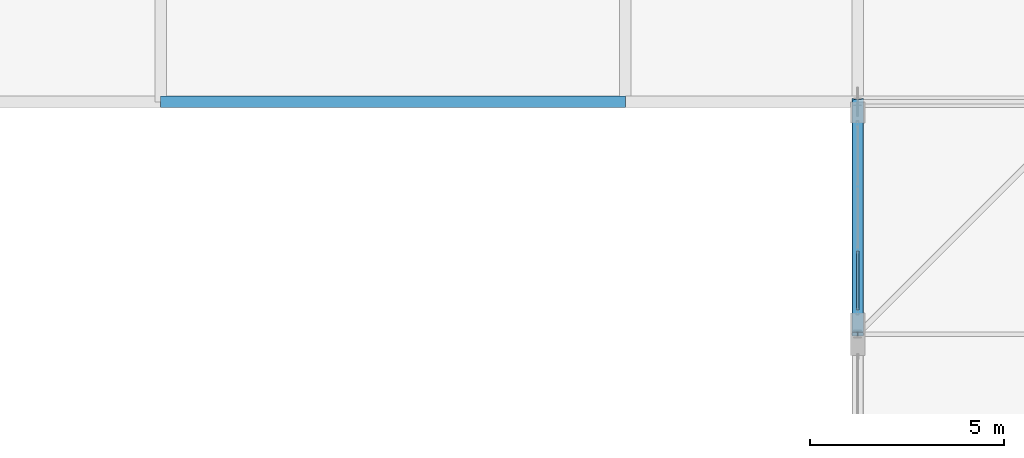
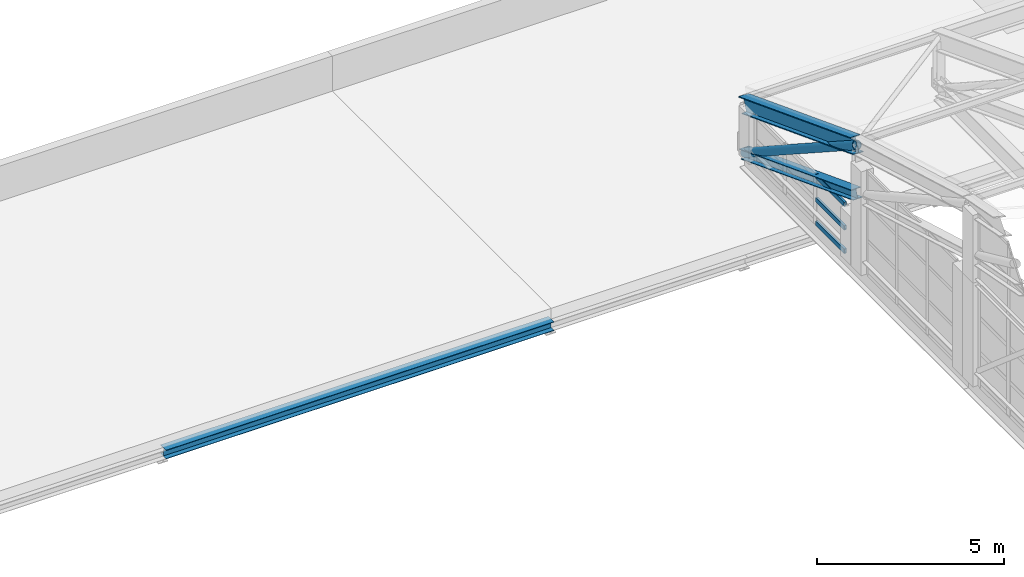
# One storey, part 142 of 204: 6 members, 1 beam, 1 element without a shape of its own.
"""IFC4 building model written with IfcOpenShell, lengths in metres."""

from ifc_helpers import new_model, si_unit, direction, frame, origin, origin_2d, place, context, subcontext, project, spatial, hollow_rectangle, hollow_circle, i_section, extrude, material, layer, layer_set, material_profile, profile_set, type_object, element, aggregate, save


model = new_model("IFC4")

# Units and contexts
model_context = context("Model", 3, precision=1e-05, world=origin(), true_north=direction((0.0, 1.0)))
body_context = subcontext(model_context, "Body", "Model", "MODEL_VIEW")
ifc_project = project(units=[si_unit("LENGTHUNIT", "METRE"), si_unit("AREAUNIT", "SQUARE_METRE"), si_unit("VOLUMEUNIT", "CUBIC_METRE"), si_unit("PLANEANGLEUNIT", "RADIAN"), si_unit("MASSUNIT", "GRAM", prefix="KILO")], contexts=[model_context])

# Site, building, storey
site_placement = place(None, origin())
site = spatial("IfcSite", under=ifc_project, at=site_placement, CompositionType="ELEMENT")
building_placement = place(site_placement, origin())
building = spatial("IfcBuilding", under=site, at=building_placement, Name="Zilviju Railside Exhibition Hall", CompositionType="ELEMENT")
storey_placement = place(building_placement, frame((0.0, 0.0, 21.0)))
storey = spatial("IfcBuildingStorey", under=building, at=storey_placement, Name="RF", CompositionType="ELEMENT", Elevation=21.0)

# Beam
ifc_material_1 = material(Name="Steel S355J2", Category="steel")
ifc_material_profile_1 = material_profile(ifc_material_1, i_section(OverallWidth=0.300048828125, OverallDepth=0.2900390625, WebThickness=0.008544921875, FlangeThickness=0.013916015625, at=origin_2d()), Name="HEA 300")
ifc_profile_set_1 = profile_set([ifc_material_profile_1], Name="Steel S355J2")
beam_type = type_object("IfcBeamType", Name="BM-HEA300", PredefinedType="SPANDREL", material=ifc_profile_set_1)
beam_placement = place(storey_placement, frame((60.0, 138.0, -7.094970703125), z_axis=(1.0, 0.0, 0.0), x_axis=(0.0, 1.0, 0.0)))
element("IfcBeam", 1, at=beam_placement, inside=storey, type_object=beam_type, Name="Logistics Roof Beam Y=138.0 (60.0..72.0)", PredefinedType="SPANDREL", context=body_context, shape_type="SweptSolid", body=[
    extrude(i_section(OverallWidth=0.300048828125, OverallDepth=0.2900390625, WebThickness=0.008544921875, FlangeThickness=0.013916015625, at=origin_2d()), origin(), (0.0, 0.0, 1.0), 12.0),
])

# Curtain wall, members
ifc_material_2 = material(Name="Thermally broken aluminium-steel triple-glazed curtain wall", Category="steel")
ifc_layer = layer(ifc_material_2, 0.179931640625)
ifc_layer_set = layer_set([ifc_layer], Name="Thermally broken aluminium-steel triple-glazed curtain wall")
curtain_wall_type = type_object("IfcCurtainWallType", Name="CW-BAY-07", PredefinedType="USERDEFINED", material=ifc_layer_set)
curtain_wall_placement = place(storey_placement, origin())
curtain_wall = element("IfcCurtainWall", 2, at=curtain_wall_placement, inside=storey, type_object=curtain_wall_type, Name="North Hall Arch Lower Tympanum Glazing West P9", ObjectType="GLAZED CURTAIN WALL", PredefinedType="USERDEFINED")
ifc_material_3 = material(Name="Thermally broken anodized aluminium transom", Category="aluminium")
ifc_material_profile_2 = material_profile(ifc_material_3, hollow_rectangle(XDim=0.070068359375, YDim=0.14990234375, WallThickness=0.0048828125, at=origin_2d()), Name="TRANSOM 150x70x5")
ifc_profile_set_2 = profile_set([ifc_material_profile_2], Name="Thermally broken anodized aluminium transom")
member_type_1 = type_object("IfcMemberType", Name="CWT-70x150", PredefinedType="USERDEFINED", material=ifc_profile_set_2)
member_1_placement = place(storey_placement, frame((78.0, 132.6201171875, -3.56494140625), z_axis=(0.0, 1.0, 0.0), x_axis=(-1.0, 0.0, 0.0)))
member_1 = element("IfcMember", 3, at=member_1_placement, type_object=member_type_1, Name="CW-07 transom 1.1", ObjectType="TRANSOM", PredefinedType="USERDEFINED", context=body_context, shape_type="SweptSolid", body=[
    extrude(hollow_rectangle(XDim=0.070068359375, YDim=0.14990234375, WallThickness=0.0048828125, at=origin_2d()), origin(), (0.0, 0.0, 1.0), 1.5283203125),
])
member_2_placement = place(storey_placement, frame((78.0, 132.6201171875, -2.800048828125), z_axis=(0.0, 1.0, 0.0), x_axis=(-1.0, 0.0, 0.0)))
member_2 = element("IfcMember", 4, at=member_2_placement, type_object=member_type_1, Name="CW-07 transom 1.2", ObjectType="TRANSOM", PredefinedType="USERDEFINED", context=body_context, shape_type="SweptSolid", body=[
    extrude(hollow_rectangle(XDim=0.070068359375, YDim=0.14990234375, WallThickness=0.0048828125, at=origin_2d()), origin(), (0.0, 0.0, 1.0), 1.5283203125),
])
member_3_placement = place(storey_placement, frame((78.0, 132.6201171875, -2.034912109375), z_axis=(0.0, 1.0, 0.0), x_axis=(-1.0, 0.0, 0.0)))
member_3 = element("IfcMember", 5, at=member_3_placement, type_object=member_type_1, Name="CW-07 transom 1.3", ObjectType="TRANSOM", PredefinedType="USERDEFINED", context=body_context, shape_type="SweptSolid", body=[
    extrude(hollow_rectangle(XDim=0.070068359375, YDim=0.14990234375, WallThickness=0.0048828125, at=origin_2d()), origin(), (0.0, 0.0, 1.0), 1.5283203125),
])
aggregate(curtain_wall, [member_1, member_2, member_3])

# Members
ifc_material_4 = material(Name="Steel S355ML", Category="steel")
ifc_material_profile_3 = material_profile(ifc_material_4, hollow_circle(Radius=0.136474609375, WallThickness=0.012451171875, at=origin_2d()), Name="CHS 273.0x12.5")
ifc_profile_set_3 = profile_set([ifc_material_profile_3], Name="Steel S355ML")
member_type_2 = type_object("IfcMemberType", Name="TR-BR-CHS273", PredefinedType="BRACE", material=ifc_profile_set_3)
member_4_placement = place(storey_placement, frame((78.0, 132.0, 0.291259765625), z_axis=(0.0, 0.838995406637, -0.544138500423), x_axis=(-1.0, 0.0, 0.0)))
element("IfcMember", 6, at=member_4_placement, inside=storey, type_object=member_type_2, Name="V2 Parabolic Arch Web Diagonal X=78.0 P9", PredefinedType="BRACE", context=body_context, shape_type="SweptSolid", body=[
    extrude(hollow_circle(Radius=0.136474609375, WallThickness=0.012451171875, at=origin_2d()), origin(), (0.0, 0.0, 1.0), 7.1513671875),
])
ifc_material_profile_4 = material_profile(ifc_material_4, i_section(OverallWidth=0.300048828125, OverallDepth=0.300048828125, WebThickness=0.010986328125, FlangeThickness=0.01904296875, at=origin_2d()), Name="HEB 300")
ifc_profile_set_4 = profile_set([ifc_material_profile_4], Name="Steel S355ML")
member_type_3 = type_object("IfcMemberType", Name="TR-CH-HEB300", PredefinedType="CHORD", material=ifc_profile_set_4)
member_5_placement = place(storey_placement, frame((78.0, 132.0, -1.30859375), z_axis=(0.0, 0.934187521086, -0.35678239229), x_axis=(-1.0, 0.0, 0.0)))
element("IfcMember", 7, at=member_5_placement, inside=storey, type_object=member_type_3, Name="V2 Parabolic Arch Bottom Chord X=78.0 P9", PredefinedType="CHORD", context=body_context, shape_type="SweptSolid", body=[
    extrude(i_section(OverallWidth=0.300048828125, OverallDepth=0.300048828125, WebThickness=0.010986328125, FlangeThickness=0.01904296875, at=origin_2d()), origin(), (0.0, 0.0, 1.0), 6.422607421875),
])
ifc_material_profile_5 = material_profile(ifc_material_4, i_section(OverallWidth=0.300048828125, OverallDepth=0.5, WebThickness=0.014404296875, FlangeThickness=0.028076171875, at=origin_2d()), Name="HEB 500")
ifc_profile_set_5 = profile_set([ifc_material_profile_5], Name="Steel S355ML")
member_type_4 = type_object("IfcMemberType", Name="TR-CH-HEB500-ML", PredefinedType="CHORD", material=ifc_profile_set_5)
member_6_placement = place(storey_placement, frame((78.0, 132.0, 0.291259765625), z_axis=(0.0, 0.934200190194, -0.356749218138), x_axis=(-1.0, 0.0, 0.0)))
element("IfcMember", 8, at=member_6_placement, inside=storey, type_object=member_type_4, Name="V2 Parabolic Arch Top Chord X=78.0 P9", PredefinedType="CHORD", context=body_context, shape_type="SweptSolid", body=[
    extrude(i_section(OverallWidth=0.300048828125, OverallDepth=0.5, WebThickness=0.014404296875, FlangeThickness=0.028076171875, at=origin_2d()), origin(), (0.0, 0.0, 1.0), 6.422607421875),
])

save(model, "model.ifc")
